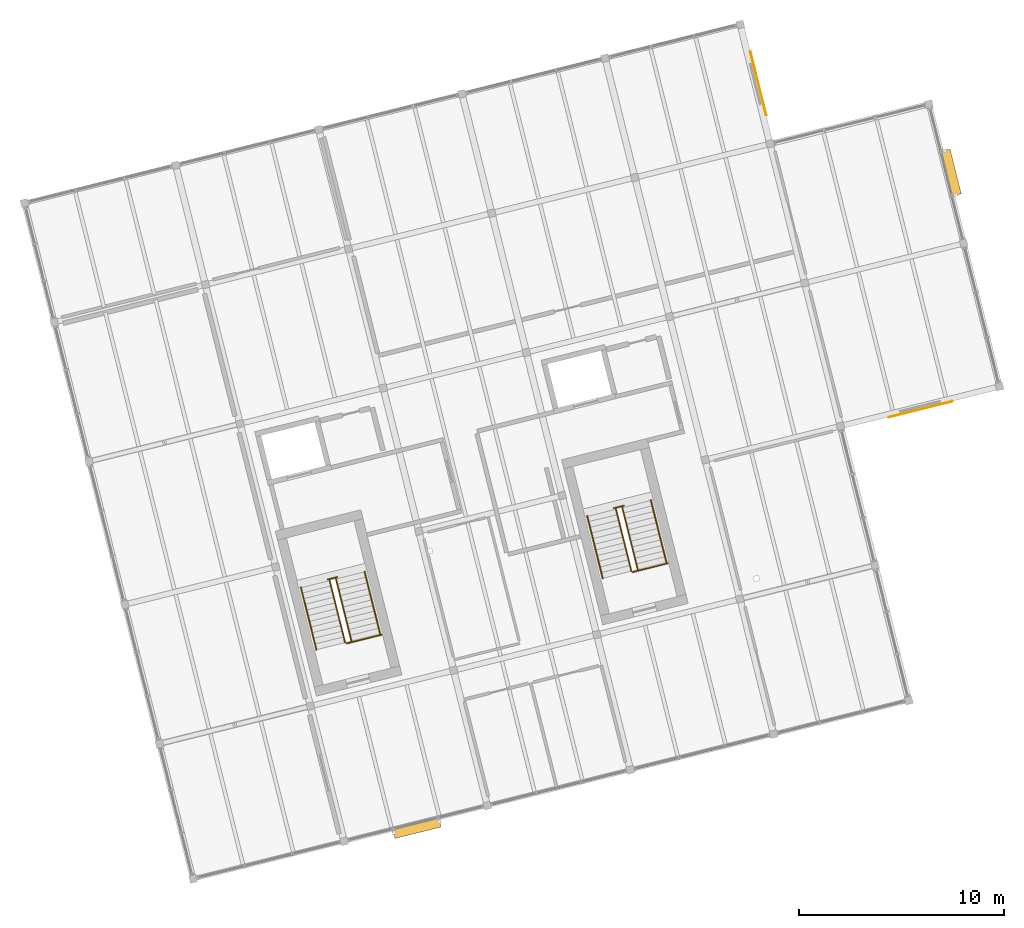
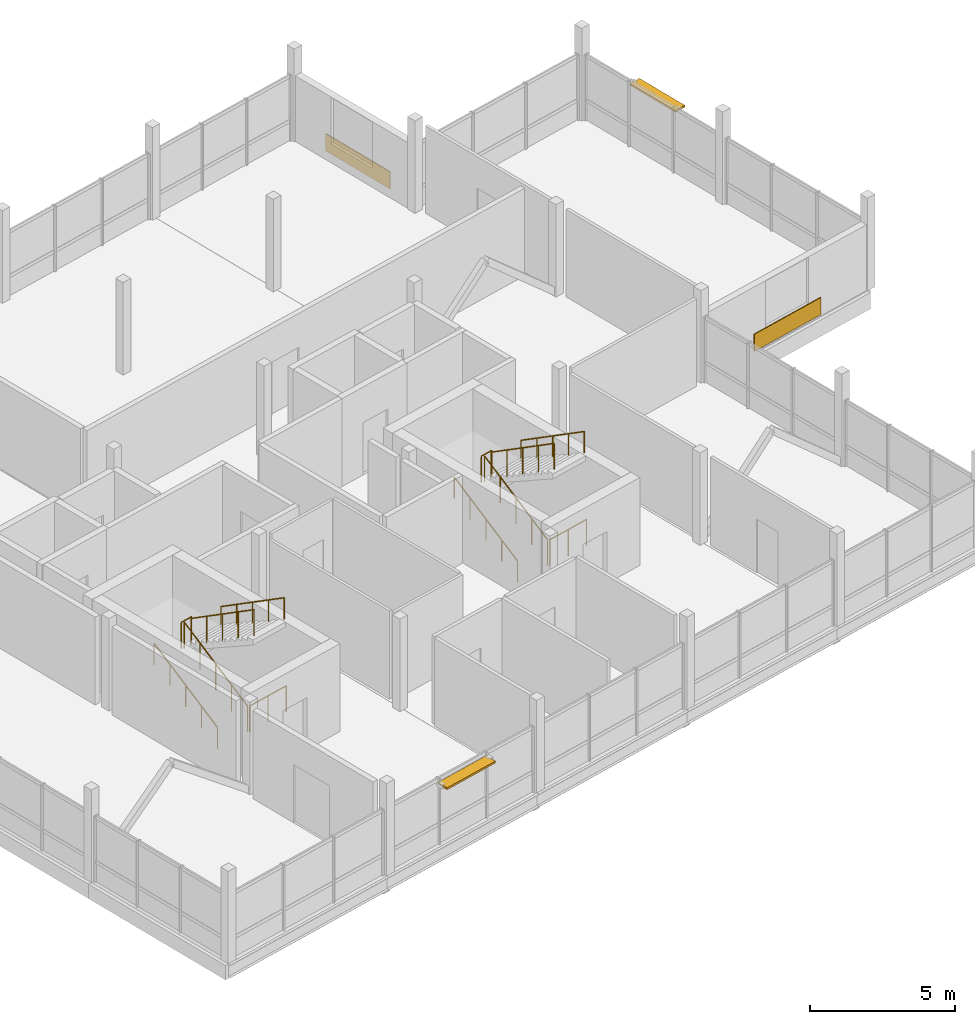
# One storey, part 26 of 26: 12 railings, 2 coverings, 2 shading devices.
"""IFC4 building model written with IfcOpenShell, lengths in metres."""

import ifcopenshell
import ifcopenshell.guid

model = None  # the IFC model being written
_history = None  # IfcOwnerHistory: only IFC2X3 demands one
_inside = {}  # id of a spatial element -> (the spatial element, [elements in it])
_under = {}  # id of a project, library or spatial element -> (it, [spatial elements below it])
_declared = {}  # id of a project -> (the project, [libraries it declares])
_typed = {}  # id of a type object -> (the type object, [elements of that type])
_made_of = {}  # id of a material, layer set ... -> (it, [elements and type objects made of it])


def new_model(schema):
    """Start an empty IFC model of exactly this schema.

    Asked for "IFC4X3", IfcOpenShell would pick the latest addendum, in which some entities
    have other attributes; the version numbers below select the first issue.
    IFC2X3 requires an IfcOwnerHistory on every rooted entity: one is made here for all.
    """
    global model, _history
    if schema == "IFC4X3":
        model = ifcopenshell.file(schema_version=(4, 3, 0, 0))
    else:
        model = ifcopenshell.file(schema=schema)
    _inside.clear()
    _under.clear()
    _declared.clear()
    _typed.clear()
    _made_of.clear()
    _history = None
    if model.schema == "IFC2X3":
        org = make("IfcOrganization", Name="unknown")
        user = make(
            "IfcPersonAndOrganization",
            ThePerson=make("IfcPerson", FamilyName="unknown"),
            TheOrganization=org,
        )
        app = make(
            "IfcApplication",
            ApplicationDeveloper=org,
            Version="unknown",
            ApplicationFullName="unknown",
            ApplicationIdentifier="unknown",
        )
        _history = make(
            "IfcOwnerHistory",
            OwningUser=user,
            OwningApplication=app,
            ChangeAction="ADDED",
            CreationDate=0,
        )
    return model


def make(cls, **values):
    """One entity of the class cls with the attributes given. An attribute that is None is left unset."""
    return model.create_entity(
        cls, **{name: value for name, value in values.items() if value is not None}
    )


def rooted(cls, **values):
    """An entity with a GlobalId (a new one), such as an element, a storey or a relation."""
    return make(cls, GlobalId=ifcopenshell.guid.new(), OwnerHistory=_history, **values)


def si_unit(unit_type, name, prefix=None):
    """IfcSIUnit, for example si_unit("LENGTHUNIT", "METRE", prefix="MILLI")."""
    return make("IfcSIUnit", UnitType=unit_type, Prefix=prefix, Name=name)


def assignment(units):
    """IfcUnitAssignment: the units of a project."""
    return None if units is None else make("IfcUnitAssignment", Units=units)


def point(xyz):
    """IfcCartesianPoint."""
    return None if xyz is None else make("IfcCartesianPoint", Coordinates=xyz)


def direction(xyz):
    """IfcDirection."""
    return None if xyz is None else make("IfcDirection", DirectionRatios=xyz)


def frame(location, z_axis=None, x_axis=None):
    """IfcAxis2Placement3D, a coordinate frame: its origin and axes. An axis left out is left unset."""
    return make(
        "IfcAxis2Placement3D",
        Location=point(location),
        Axis=direction(z_axis),
        RefDirection=direction(x_axis),
    )


def frame_2d(location, x_axis=None):
    """IfcAxis2Placement2D, a coordinate frame in the plane: its origin and x axis."""
    return make(
        "IfcAxis2Placement2D", Location=point(location), RefDirection=direction(x_axis)
    )


def origin():
    """The frame at (0, 0, 0) with its axes left unset."""
    return frame((0.0, 0.0, 0.0))


def origin_2d():
    """The frame at (0, 0) in the plane with its x axis left unset."""
    return frame_2d((0.0, 0.0))


def place(relative_to, where):
    """IfcLocalPlacement: puts the frame where relative to a parent placement (None: the world)."""
    return make(
        "IfcLocalPlacement", PlacementRelTo=relative_to, RelativePlacement=where
    )


def context(
    kind, dimensions, precision=None, world=None, true_north=None, identifier=None
):
    """IfcGeometricRepresentationContext, for example the 3D "Model" context."""
    return make(
        "IfcGeometricRepresentationContext",
        ContextIdentifier=identifier,
        ContextType=kind,
        CoordinateSpaceDimension=dimensions,
        Precision=precision,
        WorldCoordinateSystem=world,
        TrueNorth=true_north,
    )


def subcontext(parent, identifier, kind, view, scale=None):
    """IfcGeometricRepresentationSubContext, for example "Body" below "Model"."""
    return make(
        "IfcGeometricRepresentationSubContext",
        ContextIdentifier=identifier,
        ContextType=kind,
        ParentContext=parent,
        TargetScale=scale,
        TargetView=view,
    )


def project(units=None, contexts=None):
    """IfcProject with its units and contexts."""
    return rooted(
        "IfcProject",
        Name="project",
        RepresentationContexts=contexts,
        UnitsInContext=assignment(units),
    )


def spatial(cls, under=None, at=None, **own):
    """A site, building, storey or space (cls), placed at a placement, below another one or the project."""
    s = rooted(cls, ObjectPlacement=at, **own)
    if under is not None:
        _under.setdefault(under.id(), (under, []))[1].append(s)
    return s


def profile(cls, at=None, kind="AREA", **sizes):
    """A parametric profile (cls). Its sizes go by their IFC names, for example OverallWidth=200.0."""
    return make(cls, ProfileType=kind, Position=at, **sizes)


def rectangle(**sizes):
    """IfcRectangleProfileDef."""
    return profile("IfcRectangleProfileDef", **sizes)


def circle(**sizes):
    """IfcCircleProfileDef."""
    return profile("IfcCircleProfileDef", **sizes)


def extrude(swept, where, along, depth):
    """IfcExtrudedAreaSolid: the profile swept, set in the frame where, extruded along a direction by depth."""
    return make(
        "IfcExtrudedAreaSolid",
        SweptArea=swept,
        Position=where,
        ExtrudedDirection=direction(along),
        Depth=depth,
    )


def shape(context_of_items, identifier, shape_type, items):
    """IfcShapeRepresentation: the items that make up one representation, for example the "Body"."""
    return make(
        "IfcShapeRepresentation",
        ContextOfItems=context_of_items,
        RepresentationIdentifier=identifier,
        RepresentationType=shape_type,
        Items=items,
    )


def material(Name=None, Category=None):
    """IfcMaterial."""
    return make("IfcMaterial", Name=Name, Category=Category)


def layer(
    of_material, thickness, ventilated=None, Name=None, Category=None, Priority=None
):
    """IfcMaterialLayer: one layer of a wall or slab, of a material (None: an air gap)."""
    return make(
        "IfcMaterialLayer",
        Material=of_material,
        LayerThickness=thickness,
        IsVentilated=ventilated,
        Name=Name,
        Category=Category,
        Priority=Priority,
    )


def layer_set(layers, Name=None):
    """IfcMaterialLayerSet."""
    return make("IfcMaterialLayerSet", MaterialLayers=layers, LayerSetName=Name)


def made_of(thing, what):
    """Note that an element or type object is made of a material, layer set ...; save() writes the relation."""
    if what is not None:
        _made_of.setdefault(what.id(), (what, []))[1].append(thing)
    return thing


def type_object(cls, material=None, **own):
    """A type object (cls), such as IfcWallType, which elements share."""
    return made_of(rooted(cls, **own), material)


def element(
    cls,
    number,
    at=None,
    inside=None,
    cuts=None,
    type_object=None,
    material=None,
    context=None,
    identifier="Body",
    shape_type=None,
    held_by="IfcProductDefinitionShape",
    body=None,
    shapes=None,
    **own,
):
    """One element of the class cls, such as IfcWall. Its Tag is "e" and its number.

    at: its placement. inside: the storey or other place that contains it. cuts: it is an
    opening in that element (IfcRelVoidsElement). A single representation is given by context,
    identifier, shape_type and body (its items); several are given by shapes. held_by: the class
    of the entity that holds the representations. save() writes the other relations.
    """
    e = rooted(cls, Tag="e%d" % number, ObjectPlacement=at, **own)
    if body is not None:
        shapes = [shape(context, identifier, shape_type, body)]
    if shapes is not None:
        e.Representation = make(held_by, Representations=shapes)
    if inside is not None:
        _inside.setdefault(inside.id(), (inside, []))[1].append(e)
    if cuts is not None:
        rooted(
            "IfcRelVoidsElement", RelatingBuildingElement=cuts, RelatedOpeningElement=e
        )
    if type_object is not None:
        _typed.setdefault(type_object.id(), (type_object, []))[1].append(e)
    return made_of(e, material)


def aggregate(whole, parts):
    """IfcRelAggregates: a whole, such as a stair, and the parts it consists of."""
    return rooted("IfcRelAggregates", RelatingObject=whole, RelatedObjects=parts)


def save(model, path):
    """Write the relations noted so far, then the file.

    IfcRelAggregates (storeys below a building ...), IfcRelContainedInSpatialStructure (elements
    in a storey), IfcRelDefinesByType, IfcRelAssociatesMaterial and IfcRelDeclares: one each for
    every whole, place, type object, material and project.
    """
    for whole, parts in _under.values():
        aggregate(whole, parts)
    for where, things in _inside.values():
        rooted(
            "IfcRelContainedInSpatialStructure",
            RelatedElements=things,
            RelatingStructure=where,
        )
    for kind, things in _typed.values():
        rooted("IfcRelDefinesByType", RelatedObjects=things, RelatingType=kind)
    for what, things in _made_of.values():
        rooted("IfcRelAssociatesMaterial", RelatedObjects=things, RelatingMaterial=what)
    for by, libraries in _declared.values():
        rooted("IfcRelDeclares", RelatingContext=by, RelatedDefinitions=libraries)
    model.write(path)


model = new_model("IFC4")

# Units and contexts
model_context = context("Model", 3, precision=1e-05, world=origin(), true_north=direction((0.0, 1.0)))
body_context = subcontext(model_context, "Body", "Model", "MODEL_VIEW")
ifc_project = project(units=[si_unit("LENGTHUNIT", "METRE"), si_unit("AREAUNIT", "SQUARE_METRE"), si_unit("VOLUMEUNIT", "CUBIC_METRE"), si_unit("PLANEANGLEUNIT", "RADIAN"), si_unit("MASSUNIT", "GRAM", prefix="KILO")], contexts=[model_context])

# Site, building, storey
site_placement = place(None, origin())
site = spatial("IfcSite", under=ifc_project, at=site_placement, CompositionType="ELEMENT")
building_placement = place(site_placement, origin())
building = spatial("IfcBuilding", under=site, at=building_placement, Name="Meriwether Solvik Hall", CompositionType="ELEMENT")
storey_placement = place(building_placement, frame((0.0, 0.0, 41.699951171875)))
storey = spatial("IfcBuildingStorey", under=building, at=storey_placement, Name="L10", CompositionType="ELEMENT", Elevation=41.699951171875)

# Coverings
ifc_material_1 = material(Name="Acetylated Charred Western Red Cedar Timber", Category="wood")
ifc_layer_1 = layer(ifc_material_1, 0.0400390625)
ifc_layer_set_1 = layer_set([ifc_layer_1], Name="Acetylated Charred Western Red Cedar Timber")
covering_type = type_object("IfcCoveringType", Name="COV-CLAD-TIMB", PredefinedType="CLADDING", material=ifc_layer_set_1)
for number, where, z_axis, x_axis, name in (
    (1, (104.109619140625, 64.121337890625, 0.080078125), (0.0, 0.0, 1.0), (-0.970295706376, -0.241921975414, 0.0), "L10 Charred Cedar Cladding 3.0"),
    (2, (96.186279296875, 80.027099609375, 0.080078125), (0.0, 0.0, 1.0), (0.241921782102, -0.970295754574, 0.0), "L10 Charred Cedar Cladding 6.0"),
):
    element("IfcCovering", number, at=place(storey_placement, frame(where, z_axis=z_axis, x_axis=x_axis)), inside=storey, type_object=covering_type, Name=name, PredefinedType="CLADDING", context=body_context, shape_type="SweptSolid", body=[
        extrude(rectangle(XDim=3.199951171875, YDim=0.0400390625, at=origin_2d()), origin(), (0.0, 0.0, 1.0), 0.719970703125),
    ])

# Railings
ifc_material_2 = material(Name="Steel A36 Galvanised", Category="steel")
ifc_layer_2 = layer(ifc_material_2, 0.054931640625)
ifc_layer_set_2 = layer_set([ifc_layer_2], Name="Steel A36 Galvanised")
railing_type_1 = type_object("IfcRailingType", Name="RAIL-STR-GUARD", PredefinedType="GUARDRAIL", material=ifc_layer_set_2)
railing_1_placement = place(storey_placement, frame((75.158935546875, 55.81591796875, 1.949951171875)))
element("IfcRailing", 3, at=railing_1_placement, inside=storey, type_object=railing_type_1, Name="Stair ST-01 Landing Guardrail (L10)", PredefinedType="GUARDRAIL", context=body_context, shape_type="SweptSolid", body=[
    extrude(circle(Radius=0.02392578125, at=origin_2d()), frame((0.0, 0.0, 1.09619140625), z_axis=(0.970343250308, 0.241731207299, 0.0), x_axis=(-0.241731207299, 0.970343250308, 0.0)), (0.0, 0.0, 1.0), 0.5),
    extrude(circle(Radius=0.02099609375, at=origin_2d()), origin(), (0.0, 0.0, 1.0), 1.072021484375),
    extrude(circle(Radius=0.02099609375, at=origin_2d()), frame((0.485107421875, 0.120849609375, 0.0)), (0.0, 0.0, 1.0), 1.072021484375),
])
railing_2_placement = place(storey_placement, frame((76.092041015625, 52.69384765625, 0.0)))
element("IfcRailing", 4, at=railing_2_placement, inside=storey, type_object=railing_type_1, Name="Stair ST-01 Well Guardrail (L10)", PredefinedType="GUARDRAIL", context=body_context, shape_type="SweptSolid", body=[
    extrude(circle(Radius=0.02392578125, at=origin_2d()), frame((0.0, 0.0, 1.09619140625), z_axis=(0.970298223594, 0.241911879182, 0.0), x_axis=(-0.241911879182, 0.970298223594, 0.0)), (0.0, 0.0, 1.0), 1.75),
    extrude(circle(Radius=0.02099609375, at=origin_2d()), origin(), (0.0, 0.0, 1.0), 1.072021484375),
    extrude(circle(Radius=0.02099609375, at=origin_2d()), frame((0.84912109375, 0.211669921875, 0.0)), (0.0, 0.0, 1.0), 1.072021484375),
    extrude(circle(Radius=0.02099609375, at=origin_2d()), frame((1.697998046875, 0.42333984375, 0.0)), (0.0, 0.0, 1.0), 1.072021484375),
])
railing_3_placement = place(storey_placement, frame((76.019287109375, 52.737548828125, 0.0)))
element("IfcRailing", 5, at=railing_3_placement, inside=storey, type_object=railing_type_1, Name="Stair ST-01 Flight 1 Inner Guardrail (L10)", PredefinedType="GUARDRAIL", context=body_context, shape_type="SweptSolid", body=[
    extrude(circle(Radius=0.02392578125, at=origin_2d()), frame((0.0, 0.0, 1.09619140625), z_axis=(-0.205452207734, 0.823924849814, 0.528145086313), x_axis=(-0.970288906122, -0.2419492481, 0.0)), (0.0, 0.0, 1.0), 3.692138671875),
    extrude(circle(Radius=0.02099609375, at=origin_2d()), origin(), (0.0, 0.0, 1.0), 1.072021484375),
    extrude(circle(Radius=0.02099609375, at=origin_2d()), frame((-0.189697265625, 0.760498046875, 0.487548828125)), (0.0, 0.0, 1.0), 1.072021484375),
    extrude(circle(Radius=0.02099609375, at=origin_2d()), frame((-0.37939453125, 1.52099609375, 0.97509765625)), (0.0, 0.0, 1.0), 1.072021484375),
    extrude(circle(Radius=0.02099609375, at=origin_2d()), frame((-0.56884765625, 2.281494140625, 1.46240234375)), (0.0, 0.0, 1.0), 1.072021484375),
    extrude(circle(Radius=0.02099609375, at=origin_2d()), frame((-0.758544921875, 3.0419921875, 1.949951171875)), (0.0, 0.0, 1.0), 1.072021484375),
])
railing_4_placement = place(storey_placement, frame((75.5712890625, 55.85693359375, 1.949951171875)))
element("IfcRailing", 6, at=railing_4_placement, inside=storey, type_object=railing_type_1, Name="Stair ST-01 Flight 2 Inner Guardrail (L10)", PredefinedType="GUARDRAIL", context=body_context, shape_type="SweptSolid", body=[
    extrude(circle(Radius=0.02392578125, at=origin_2d()), frame((0.0, 0.0, 1.09619140625), z_axis=(0.205381698806, -0.823907265654, 0.528199938848), x_axis=(0.970307185051, 0.241875932325, 0.0)), (0.0, 0.0, 1.0), 3.692138671875),
    extrude(circle(Radius=0.02099609375, at=origin_2d()), origin(), (0.0, 0.0, 1.0), 1.072021484375),
    extrude(circle(Radius=0.02099609375, at=origin_2d()), frame((0.189453125, -0.760498046875, 0.487548828125)), (0.0, 0.0, 1.0), 1.072021484375),
    extrude(circle(Radius=0.02099609375, at=origin_2d()), frame((0.379150390625, -1.52099609375, 0.97509765625)), (0.0, 0.0, 1.0), 1.072021484375),
    extrude(circle(Radius=0.02099609375, at=origin_2d()), frame((0.56884765625, -2.281494140625, 1.462646484375)), (0.0, 0.0, 1.0), 1.072021484375),
    extrude(circle(Radius=0.02099609375, at=origin_2d()), frame((0.75830078125, -3.0419921875, 1.9501953125)), (0.0, 0.0, 1.0), 1.072021484375),
])
railing_5_placement = place(storey_placement, frame((89.131103515625, 59.299560546875, 1.949951171875)))
element("IfcRailing", 7, at=railing_5_placement, inside=storey, type_object=railing_type_1, Name="Stair ST-02 Landing Guardrail (L10)", PredefinedType="GUARDRAIL", context=body_context, shape_type="SweptSolid", body=[
    extrude(circle(Radius=0.02392578125, at=origin_2d()), frame((0.0, 0.0, 1.09619140625), z_axis=(0.970228607419, 0.242190935722, 0.0), x_axis=(-0.242190935722, 0.970228607419, 0.0)), (0.0, 0.0, 1.0), 0.5),
    extrude(circle(Radius=0.02099609375, at=origin_2d()), origin(), (0.0, 0.0, 1.0), 1.072021484375),
    extrude(circle(Radius=0.02099609375, at=origin_2d()), frame((0.485107421875, 0.12109375, 0.0)), (0.0, 0.0, 1.0), 1.072021484375),
])
railing_6_placement = place(storey_placement, frame((90.064208984375, 56.177490234375, 0.0)))
element("IfcRailing", 8, at=railing_6_placement, inside=storey, type_object=railing_type_1, Name="Stair ST-02 Well Guardrail (L10)", PredefinedType="GUARDRAIL", context=body_context, shape_type="SweptSolid", body=[
    extrude(circle(Radius=0.02392578125, at=origin_2d()), frame((0.0, 0.0, 1.09619140625), z_axis=(0.970298223594, 0.241911879182, 0.0), x_axis=(-0.241911879182, 0.970298223594, 0.0)), (0.0, 0.0, 1.0), 1.75),
    extrude(circle(Radius=0.02099609375, at=origin_2d()), origin(), (0.0, 0.0, 1.0), 1.072021484375),
    extrude(circle(Radius=0.02099609375, at=origin_2d()), frame((0.84912109375, 0.211669921875, 0.0)), (0.0, 0.0, 1.0), 1.072021484375),
    extrude(circle(Radius=0.02099609375, at=origin_2d()), frame((1.697998046875, 0.42333984375, 0.0)), (0.0, 0.0, 1.0), 1.072021484375),
])
railing_7_placement = place(storey_placement, frame((89.991455078125, 56.22119140625, 0.0)))
element("IfcRailing", 9, at=railing_7_placement, inside=storey, type_object=railing_type_1, Name="Stair ST-02 Flight 1 Inner Guardrail (L10)", PredefinedType="GUARDRAIL", context=body_context, shape_type="SweptSolid", body=[
    extrude(circle(Radius=0.02392578125, at=origin_2d()), frame((0.0, 0.0, 1.09619140625), z_axis=(-0.205452207734, 0.823924849814, 0.528145086313), x_axis=(-0.970288906122, -0.2419492481, 0.0)), (0.0, 0.0, 1.0), 3.692138671875),
    extrude(circle(Radius=0.02099609375, at=origin_2d()), origin(), (0.0, 0.0, 1.0), 1.072021484375),
    extrude(circle(Radius=0.02099609375, at=origin_2d()), frame((-0.189697265625, 0.760498046875, 0.487548828125)), (0.0, 0.0, 1.0), 1.072021484375),
    extrude(circle(Radius=0.02099609375, at=origin_2d()), frame((-0.37939453125, 1.52099609375, 0.97509765625)), (0.0, 0.0, 1.0), 1.072021484375),
    extrude(circle(Radius=0.02099609375, at=origin_2d()), frame((-0.56884765625, 2.281494140625, 1.46240234375)), (0.0, 0.0, 1.0), 1.072021484375),
    extrude(circle(Radius=0.02099609375, at=origin_2d()), frame((-0.758544921875, 3.0419921875, 1.949951171875)), (0.0, 0.0, 1.0), 1.072021484375),
])
railing_8_placement = place(storey_placement, frame((89.54345703125, 59.340576171875, 1.949951171875)))
element("IfcRailing", 10, at=railing_8_placement, inside=storey, type_object=railing_type_1, Name="Stair ST-02 Flight 2 Inner Guardrail (L10)", PredefinedType="GUARDRAIL", context=body_context, shape_type="SweptSolid", body=[
    extrude(circle(Radius=0.02392578125, at=origin_2d()), frame((0.0, 0.0, 1.09619140625), z_axis=(0.205445032468, -0.823896074846, 0.528192764516), x_axis=(0.970288906122, 0.2419492481, 0.0)), (0.0, 0.0, 1.0), 3.692138671875),
    extrude(circle(Radius=0.02099609375, at=origin_2d()), origin(), (0.0, 0.0, 1.0), 1.072021484375),
    extrude(circle(Radius=0.02099609375, at=origin_2d()), frame((0.189697265625, -0.760498046875, 0.487548828125)), (0.0, 0.0, 1.0), 1.072021484375),
    extrude(circle(Radius=0.02099609375, at=origin_2d()), frame((0.37939453125, -1.52099609375, 0.97509765625)), (0.0, 0.0, 1.0), 1.072021484375),
    extrude(circle(Radius=0.02099609375, at=origin_2d()), frame((0.56884765625, -2.281494140625, 1.462646484375)), (0.0, 0.0, 1.0), 1.072021484375),
    extrude(circle(Radius=0.02099609375, at=origin_2d()), frame((0.758544921875, -3.0419921875, 1.9501953125)), (0.0, 0.0, 1.0), 1.072021484375),
])
ifc_material_3 = material(Name="Stainless Steel AISI 316", Category="steel")
ifc_layer_3 = layer(ifc_material_3, 0.044921875)
ifc_layer_set_3 = layer_set([ifc_layer_3], Name="Stainless Steel AISI 316")
railing_type_2 = type_object("IfcRailingType", Name="RAIL-STR-HAND", PredefinedType="HANDRAIL", material=ifc_layer_set_3)
railing_9_placement = place(storey_placement, frame((74.6220703125, 52.38916015625, 0.0)))
element("IfcRailing", 11, at=railing_9_placement, inside=storey, type_object=railing_type_2, Name="Stair ST-01 Lower Handrail (L10)", PredefinedType="HANDRAIL", context=body_context, shape_type="SweptSolid", body=[
    extrude(circle(Radius=0.02392578125, at=origin_2d()), frame((0.0, 0.0, 0.89599609375), z_axis=(-0.205467106702, 0.823914517495, 0.528155408876), x_axis=(-0.970284074567, -0.241968623258, 0.0)), (0.0, 0.0, 1.0), 3.698974609375),
    extrude(circle(Radius=0.02099609375, at=origin_2d()), origin(), (0.0, 0.0, 1.0), 0.871826171875),
    extrude(circle(Radius=0.02099609375, at=origin_2d()), frame((-0.18994140625, 0.761962890625, 0.48828125)), (0.0, 0.0, 1.0), 0.871826171875),
    extrude(circle(Radius=0.02099609375, at=origin_2d()), frame((-0.3798828125, 1.52392578125, 0.976806640625)), (0.0, 0.0, 1.0), 0.871826171875),
    extrude(circle(Radius=0.02099609375, at=origin_2d()), frame((-0.570068359375, 2.28564453125, 1.46533203125)), (0.0, 0.0, 1.0), 0.871826171875),
    extrude(circle(Radius=0.02099609375, at=origin_2d()), frame((-0.760009765625, 3.047607421875, 1.95361328125)), (0.0, 0.0, 1.0), 0.871826171875),
])
railing_10_placement = place(storey_placement, frame((76.968505859375, 56.205322265625, 1.949951171875)))
element("IfcRailing", 12, at=railing_10_placement, inside=storey, type_object=railing_type_2, Name="Stair ST-01 Upper Handrail (L10)", PredefinedType="HANDRAIL", context=body_context, shape_type="SweptSolid", body=[
    extrude(circle(Radius=0.02392578125, at=origin_2d()), frame((0.0, 0.0, 0.89599609375), z_axis=(0.205403888919, -0.823925689387, 0.528162570414), x_axis=(0.970302321101, 0.241895443665, 0.0)), (0.0, 0.0, 1.0), 3.698974609375),
    extrude(circle(Radius=0.02099609375, at=origin_2d()), origin(), (0.0, 0.0, 1.0), 0.871826171875),
    extrude(circle(Radius=0.02099609375, at=origin_2d()), frame((0.18994140625, -0.761962890625, 0.48828125)), (0.0, 0.0, 1.0), 0.871826171875),
    extrude(circle(Radius=0.02099609375, at=origin_2d()), frame((0.3798828125, -1.52392578125, 0.976806640625)), (0.0, 0.0, 1.0), 0.871826171875),
    extrude(circle(Radius=0.02099609375, at=origin_2d()), frame((0.56982421875, -2.28564453125, 1.46533203125)), (0.0, 0.0, 1.0), 0.871826171875),
    extrude(circle(Radius=0.02099609375, at=origin_2d()), frame((0.759765625, -3.047607421875, 1.95361328125)), (0.0, 0.0, 1.0), 0.871826171875),
])
railing_11_placement = place(storey_placement, frame((88.59423828125, 55.872802734375, 0.0)))
element("IfcRailing", 13, at=railing_11_placement, inside=storey, type_object=railing_type_2, Name="Stair ST-02 Lower Handrail (L10)", PredefinedType="HANDRAIL", context=body_context, shape_type="SweptSolid", body=[
    extrude(circle(Radius=0.02392578125, at=origin_2d()), frame((0.0, 0.0, 0.89599609375), z_axis=(-0.205403888919, 0.823925689387, 0.528162570414), x_axis=(-0.970302321101, -0.241895443665, 0.0)), (0.0, 0.0, 1.0), 3.698974609375),
    extrude(circle(Radius=0.02099609375, at=origin_2d()), origin(), (0.0, 0.0, 1.0), 0.871826171875),
    extrude(circle(Radius=0.02099609375, at=origin_2d()), frame((-0.18994140625, 0.761962890625, 0.48828125)), (0.0, 0.0, 1.0), 0.871826171875),
    extrude(circle(Radius=0.02099609375, at=origin_2d()), frame((-0.3798828125, 1.52392578125, 0.976806640625)), (0.0, 0.0, 1.0), 0.871826171875),
    extrude(circle(Radius=0.02099609375, at=origin_2d()), frame((-0.56982421875, 2.28564453125, 1.46533203125)), (0.0, 0.0, 1.0), 0.871826171875),
    extrude(circle(Radius=0.02099609375, at=origin_2d()), frame((-0.759765625, 3.047607421875, 1.95361328125)), (0.0, 0.0, 1.0), 0.871826171875),
])
railing_12_placement = place(storey_placement, frame((90.940673828125, 59.68896484375, 1.949951171875)))
element("IfcRailing", 14, at=railing_12_placement, inside=storey, type_object=railing_type_2, Name="Stair ST-02 Upper Handrail (L10)", PredefinedType="HANDRAIL", context=body_context, shape_type="SweptSolid", body=[
    extrude(circle(Radius=0.02392578125, at=origin_2d()), frame((0.0, 0.0, 0.89599609375), z_axis=(0.205467106702, -0.823914517495, 0.528155408876), x_axis=(0.970284074567, 0.241968623258, 0.0)), (0.0, 0.0, 1.0), 3.698974609375),
    extrude(circle(Radius=0.02099609375, at=origin_2d()), origin(), (0.0, 0.0, 1.0), 0.871826171875),
    extrude(circle(Radius=0.02099609375, at=origin_2d()), frame((0.18994140625, -0.761962890625, 0.48828125)), (0.0, 0.0, 1.0), 0.871826171875),
    extrude(circle(Radius=0.02099609375, at=origin_2d()), frame((0.3798828125, -1.52392578125, 0.976806640625)), (0.0, 0.0, 1.0), 0.871826171875),
    extrude(circle(Radius=0.02099609375, at=origin_2d()), frame((0.570068359375, -2.28564453125, 1.46533203125)), (0.0, 0.0, 1.0), 0.871826171875),
    extrude(circle(Radius=0.02099609375, at=origin_2d()), frame((0.760009765625, -3.047607421875, 1.95361328125)), (0.0, 0.0, 1.0), 0.871826171875),
])

# Shading devices
ifc_material_4 = material(Name="Anodised Aluminium 6063-T6", Category="aluminium")
shading_device_type_1 = type_object("IfcShadingDeviceType", Name="SHD-LOUVRE-S", PredefinedType="SHUTTER", material=ifc_material_4)
shading_device_1_placement = place(storey_placement, frame((79.525390625, 43.6767578125, 2.510009765625), z_axis=(0.0, 0.0, 1.0), x_axis=(-0.970295725693, -0.241921897937, 0.0)))
element("IfcShadingDevice", 15, at=shading_device_1_placement, inside=storey, type_object=shading_device_type_1, Name="Solar Shading Louvre E0_B1", PredefinedType="SHUTTER", context=body_context, shape_type="SweptSolid", body=[
    extrude(rectangle(XDim=2.322265625, YDim=0.4599609375, at=origin_2d()), origin(), (0.0, 0.0, 1.0), 0.080078125),
])
ifc_material_5 = material(Name="Anodised Aluminium 6063-T6", Category="aluminium")
shading_device_type_2 = type_object("IfcShadingDeviceType", Name="SHD-LOUVRE-W", PredefinedType="USERDEFINED", material=ifc_material_5)
shading_device_2_placement = place(storey_placement, frame((105.598876953125, 75.6748046875, 2.510009765625), z_axis=(0.0, 0.0, 1.0), x_axis=(0.241921804422, -0.970295749009, 0.0)))
element("IfcShadingDevice", 16, at=shading_device_2_placement, inside=storey, type_object=shading_device_type_2, Name="Solar Shading Louvre E3_B1", ObjectType="LOUVER", PredefinedType="USERDEFINED", context=body_context, shape_type="SweptSolid", body=[
    extrude(rectangle(XDim=2.255615234375, YDim=0.4599609375, at=origin_2d()), origin(), (0.0, 0.0, 1.0), 0.080078125),
])

save(model, "model.ifc")
